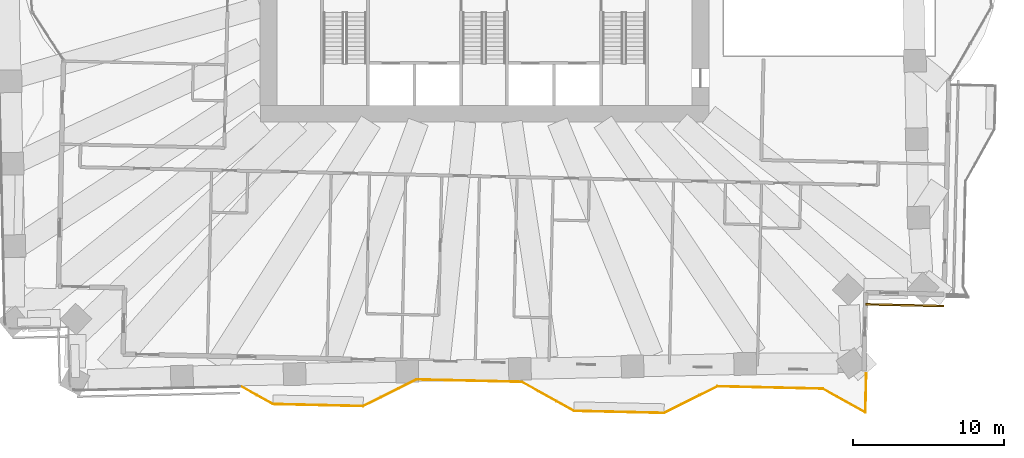
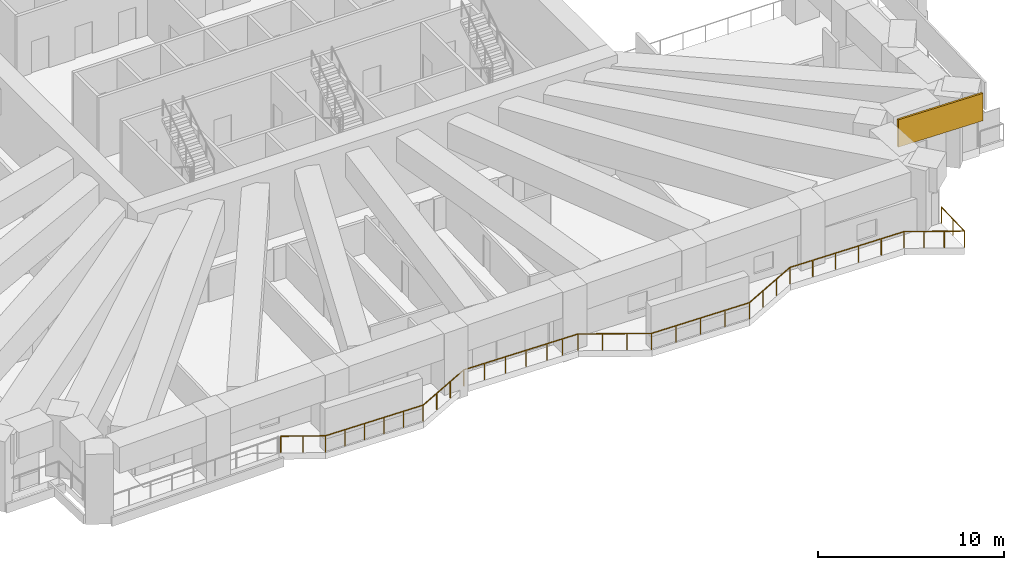
# One storey, part 17 of 20: 1 covering, 1 railing.
"""IFC4 building model written with IfcOpenShell, lengths in metres."""

from ifc_helpers import new_model, si_unit, direction, frame, frame_2d, origin, origin_2d, place, context, subcontext, project, spatial, rectangle, extrude, material, layer, layer_set, type_object, element, save


model = new_model("IFC4")

# Units and contexts
model_context = context("Model", 3, precision=1e-05, world=origin(), true_north=direction((0.0, 1.0)))
body_context = subcontext(model_context, "Body", "Model", "MODEL_VIEW")
ifc_project = project(units=[si_unit("LENGTHUNIT", "METRE"), si_unit("AREAUNIT", "SQUARE_METRE"), si_unit("VOLUMEUNIT", "CUBIC_METRE"), si_unit("PLANEANGLEUNIT", "RADIAN"), si_unit("MASSUNIT", "GRAM", prefix="KILO")], contexts=[model_context])

# Site, building, storey
site_placement = place(None, origin())
site = spatial("IfcSite", under=ifc_project, at=site_placement, CompositionType="ELEMENT")
building_placement = place(site_placement, origin())
building = spatial("IfcBuilding", under=site, at=building_placement, Name="Mangrove Gate Tower", CompositionType="ELEMENT")
storey_placement = place(building_placement, frame((0.0, 0.0, 52.10009765625)))
storey = spatial("IfcBuildingStorey", under=building, at=storey_placement, Name="L12", CompositionType="ELEMENT", Elevation=52.10009765625)

# Railing
ifc_material_1 = material(Name="Stainless steel grade 316 with laminated glass infill", Category="steel")
railing_type = type_object("IfcRailingType", Name="Balcony guard 1100", PredefinedType="GUARDRAIL", material=ifc_material_1)
railing_placement = place(storey_placement, frame((-16.158935546875, -29.48193359375, 0.0)))
element("IfcRailing", 1, at=railing_placement, inside=storey, type_object=railing_type, Name="GUARD L12 S1", PredefinedType="GUARDRAIL", context=body_context, shape_type="SweptSolid", body=[
    extrude(rectangle(XDim=0.048095703125, YDim=0.048095703125, at=origin_2d()), frame((0.0, 0.0, 1.076171875), z_axis=(0.873234929183, -0.487299454602, 0.0), x_axis=(0.487299454602, 0.873234929183, 0.0)), (0.0, 0.0, 1.0), 2.4013671875),
    extrude(rectangle(XDim=0.048095703125, YDim=0.048095703125, at=origin_2d()), frame((2.096923828125, -1.170166015625, 1.076171875), z_axis=(0.999743178102, -0.022662255828, 0.0), x_axis=(0.022662255828, 0.999743178102, 0.0)), (0.0, 0.0, 1.0), 6.00048828125),
    extrude(rectangle(XDim=0.048095703125, YDim=0.048095703125, at=origin_2d()), frame((8.095947265625, -1.30615234375, 1.076171875), z_axis=(0.894476522376, 0.447114919141, 0.0), x_axis=(-0.447114919141, 0.894476522376, 0.0)), (0.0, 0.0, 1.0), 3.958740234375),
    extrude(rectangle(XDim=0.048095703125, YDim=0.048095703125, at=origin_2d()), frame((11.636962890625, 0.4638671875, 1.076171875), z_axis=(0.999741365697, -0.022742069283, 0.0), x_axis=(0.022742069283, 0.999741365697, 0.0)), (0.0, 0.0, 1.0), 5.09912109375),
    extrude(rectangle(XDim=0.048095703125, YDim=0.048095703125, at=origin_2d()), frame((16.73486328125, 0.347900390625, 1.076171875), z_axis=(0.999744415357, -0.022607608519, 0.0), x_axis=(0.022607608519, 0.999744415357, 0.0)), (0.0, 0.0, 1.0), 1.900634765625),
    extrude(rectangle(XDim=0.048095703125, YDim=0.048095703125, at=origin_2d()), frame((18.635009765625, 0.304931640625, 1.076171875), z_axis=(0.87325689943, -0.48726008209, 0.0), x_axis=(0.48726008209, 0.87325689943, 0.0)), (0.0, 0.0, 1.0), 3.958740234375),
    extrude(rectangle(XDim=0.048095703125, YDim=0.048095703125, at=origin_2d()), frame((22.092041015625, -1.6240234375, 1.076171875), z_axis=(0.999743073592, -0.022666865795, 0.0), x_axis=(0.022666865795, 0.999743073592, 0.0)), (0.0, 0.0, 1.0), 5.999267578125),
    extrude(rectangle(XDim=0.048095703125, YDim=0.048095703125, at=origin_2d()), frame((28.08984375, -1.760009765625, 1.076171875), z_axis=(0.894476522376, 0.447114919141, 0.0), x_axis=(-0.447114919141, 0.894476522376, 0.0)), (0.0, 0.0, 1.0), 3.958740234375),
    extrude(rectangle(XDim=0.048095703125, YDim=0.048095703125, at=origin_2d()), frame((31.630859375, 0.010009765625, 1.076171875), z_axis=(0.999741475346, -0.022737248567, 0.0), x_axis=(0.022737248567, 0.999741475346, 0.0)), (0.0, 0.0, 1.0), 7.000732421875),
    extrude(rectangle(XDim=0.048095703125, YDim=0.048095703125, at=origin_2d()), frame((38.6298828125, -0.149169921875, 1.076171875), z_axis=(0.87337865098, -0.487041817519, 0.0), x_axis=(0.487041817519, 0.87337865098, 0.0)), (0.0, 0.0, 1.0), 3.24365234375),
    extrude(rectangle(XDim=0.048095703125, YDim=0.048095703125, at=origin_2d()), frame((41.462890625, -1.72900390625, 1.076171875), z_axis=(0.022559915357, 0.999745492723, 0.0), x_axis=(-0.999745492723, 0.022559915357, 0.0)), (0.0, 0.0, 1.0), 2.57568359375),
    extrude(rectangle(XDim=0.0419921875, YDim=0.0419921875, at=origin_2d()), origin(), (0.0, 0.0, 1.0), 1.052001953125),
    extrude(rectangle(XDim=0.0419921875, YDim=0.0419921875, at=origin_2d()), frame((1.04833984375, -0.5849609375, 0.0)), (0.0, 0.0, 1.0), 1.052001953125),
    extrude(rectangle(XDim=0.0419921875, YDim=0.0419921875, at=origin_2d()), frame((2.096923828125, -1.170166015625, 0.0)), (0.0, 0.0, 1.0), 1.052001953125),
    extrude(rectangle(XDim=0.0419921875, YDim=0.0419921875, at=origin_2d()), frame((3.296630859375, -1.197265625, 0.0)), (0.0, 0.0, 1.0), 1.052001953125),
    extrude(rectangle(XDim=0.0419921875, YDim=0.0419921875, at=origin_2d()), frame((4.49658203125, -1.224609375, 0.0)), (0.0, 0.0, 1.0), 1.052001953125),
    extrude(rectangle(XDim=0.0419921875, YDim=0.0419921875, at=origin_2d()), frame((5.6962890625, -1.251708984375, 0.0)), (0.0, 0.0, 1.0), 1.052001953125),
    extrude(rectangle(XDim=0.0419921875, YDim=0.0419921875, at=origin_2d()), frame((6.896240234375, -1.279052734375, 0.0)), (0.0, 0.0, 1.0), 1.052001953125),
    extrude(rectangle(XDim=0.0419921875, YDim=0.0419921875, at=origin_2d()), frame((8.095947265625, -1.30615234375, 0.0)), (0.0, 0.0, 1.0), 1.052001953125),
    extrude(rectangle(XDim=0.0419921875, YDim=0.0419921875, at=origin_2d()), frame((9.2763671875, -0.716064453125, 0.0)), (0.0, 0.0, 1.0), 1.052001953125),
    extrude(rectangle(XDim=0.0419921875, YDim=0.0419921875, at=origin_2d()), frame((10.45654296875, -0.126220703125, 0.0)), (0.0, 0.0, 1.0), 1.052001953125),
    extrude(rectangle(XDim=0.0419921875, YDim=0.0419921875, at=origin_2d()), frame((11.636962890625, 0.4638671875, 0.0)), (0.0, 0.0, 1.0), 1.052001953125),
    extrude(rectangle(XDim=0.0419921875, YDim=0.0419921875, at=origin_2d()), frame((12.911376953125, 0.434814453125, 0.0)), (0.0, 0.0, 1.0), 1.052001953125),
    extrude(rectangle(XDim=0.0419921875, YDim=0.0419921875, at=origin_2d()), frame((14.18603515625, 0.40576171875, 0.0)), (0.0, 0.0, 1.0), 1.052001953125),
    extrude(rectangle(XDim=0.0419921875, YDim=0.0419921875, at=origin_2d()), frame((15.46044921875, 0.376953125, 0.0)), (0.0, 0.0, 1.0), 1.052001953125),
    extrude(rectangle(XDim=0.0419921875, YDim=0.0419921875, at=origin_2d()), frame((16.73486328125, 0.347900390625, 0.0)), (0.0, 0.0, 1.0), 1.052001953125),
    extrude(rectangle(XDim=0.0419921875, YDim=0.0419921875, at=origin_2d()), frame((17.68505859375, 0.326416015625, 0.0)), (0.0, 0.0, 1.0), 1.052001953125),
    extrude(rectangle(XDim=0.0419921875, YDim=0.0419921875, at=origin_2d()), frame((18.635009765625, 0.304931640625, 0.0)), (0.0, 0.0, 1.0), 1.052001953125),
    extrude(rectangle(XDim=0.0419921875, YDim=0.0419921875, at=origin_2d()), frame((19.787353515625, -0.338134765625, 0.0)), (0.0, 0.0, 1.0), 1.052001953125),
    extrude(rectangle(XDim=0.0419921875, YDim=0.0419921875, at=origin_2d()), frame((20.939697265625, -0.98095703125, 0.0)), (0.0, 0.0, 1.0), 1.052001953125),
    extrude(rectangle(XDim=0.0419921875, YDim=0.0419921875, at=origin_2d()), frame((22.092041015625, -1.6240234375, 0.0)), (0.0, 0.0, 1.0), 1.052001953125),
    extrude(rectangle(XDim=0.0419921875, YDim=0.0419921875, at=origin_2d()), frame((23.591552734375, -1.657958984375, 0.0)), (0.0, 0.0, 1.0), 1.052001953125),
    extrude(rectangle(XDim=0.0419921875, YDim=0.0419921875, at=origin_2d()), frame((25.0908203125, -1.69189453125, 0.0)), (0.0, 0.0, 1.0), 1.052001953125),
    extrude(rectangle(XDim=0.0419921875, YDim=0.0419921875, at=origin_2d()), frame((26.59033203125, -1.72607421875, 0.0)), (0.0, 0.0, 1.0), 1.052001953125),
    extrude(rectangle(XDim=0.0419921875, YDim=0.0419921875, at=origin_2d()), frame((28.08984375, -1.760009765625, 0.0)), (0.0, 0.0, 1.0), 1.052001953125),
    extrude(rectangle(XDim=0.0419921875, YDim=0.0419921875, at=origin_2d()), frame((29.270263671875, -1.169921875, 0.0)), (0.0, 0.0, 1.0), 1.052001953125),
    extrude(rectangle(XDim=0.0419921875, YDim=0.0419921875, at=origin_2d()), frame((30.450439453125, -0.580078125, 0.0)), (0.0, 0.0, 1.0), 1.052001953125),
    extrude(rectangle(XDim=0.0419921875, YDim=0.0419921875, at=origin_2d()), frame((31.630859375, 0.010009765625, 0.0)), (0.0, 0.0, 1.0), 1.052001953125),
    extrude(rectangle(XDim=0.0419921875, YDim=0.0419921875, at=origin_2d()), frame((33.03076171875, -0.021728515625, 0.0)), (0.0, 0.0, 1.0), 1.052001953125),
    extrude(rectangle(XDim=0.0419921875, YDim=0.0419921875, at=origin_2d()), frame((34.430419921875, -0.0537109375, 0.0)), (0.0, 0.0, 1.0), 1.052001953125),
    extrude(rectangle(XDim=0.0419921875, YDim=0.0419921875, at=origin_2d()), frame((35.830322265625, -0.08544921875, 0.0)), (0.0, 0.0, 1.0), 1.052001953125),
    extrude(rectangle(XDim=0.0419921875, YDim=0.0419921875, at=origin_2d()), frame((37.22998046875, -0.117431640625, 0.0)), (0.0, 0.0, 1.0), 1.052001953125),
    extrude(rectangle(XDim=0.0419921875, YDim=0.0419921875, at=origin_2d()), frame((38.6298828125, -0.149169921875, 0.0)), (0.0, 0.0, 1.0), 1.052001953125),
    extrude(rectangle(XDim=0.0419921875, YDim=0.0419921875, at=origin_2d()), frame((39.57421875, -0.67578125, 0.0)), (0.0, 0.0, 1.0), 1.052001953125),
    extrude(rectangle(XDim=0.0419921875, YDim=0.0419921875, at=origin_2d()), frame((40.5185546875, -1.202392578125, 0.0)), (0.0, 0.0, 1.0), 1.052001953125),
    extrude(rectangle(XDim=0.0419921875, YDim=0.0419921875, at=origin_2d()), frame((41.462890625, -1.72900390625, 0.0)), (0.0, 0.0, 1.0), 1.052001953125),
    extrude(rectangle(XDim=0.0419921875, YDim=0.0419921875, at=origin_2d()), frame((41.491943359375, -0.44140625, 0.0)), (0.0, 0.0, 1.0), 1.052001953125),
    extrude(rectangle(XDim=0.0419921875, YDim=0.0419921875, at=origin_2d()), frame((41.52099609375, 0.845947265625, 0.0)), (0.0, 0.0, 1.0), 1.052001953125),
])

# Covering
ifc_material_2 = material(Name="Limestone", Category="masonry")
ifc_layer_1 = layer(ifc_material_2, 0.0400390625, Name="Limestone cladding")
ifc_material_3 = material(Name="Stainless steel anchors and cavity", Category="steel")
ifc_layer_2 = layer(ifc_material_3, 0.080078125, Name="Fixing cavity")
ifc_layer_set = layer_set([ifc_layer_1, ifc_layer_2], Name="Joint fascia cladding 120")
covering_type = type_object("IfcCoveringType", Name="Joint fascia cladding 120", PredefinedType="CLADDING", material=ifc_layer_set)
covering_placement = place(storey_placement, frame((25.31689453125, -24.02001953125, 2.25), z_axis=(0.0, 0.0, 1.0), x_axis=(0.999742780105, -0.022679806622, 0.0)))
element("IfcCovering", 2, at=covering_placement, inside=storey, type_object=covering_type, Name="STONE FASCIA L12 S15.1", PredefinedType="CLADDING", context=body_context, shape_type="SweptSolid", body=[
    extrude(rectangle(XDim=5.19921875, YDim=0.1201171875, at=frame_2d((2.599609375, 0.0))), origin(), (0.0, 0.0, 1.0), 1.7998046875),
])

save(model, "model.ifc")
